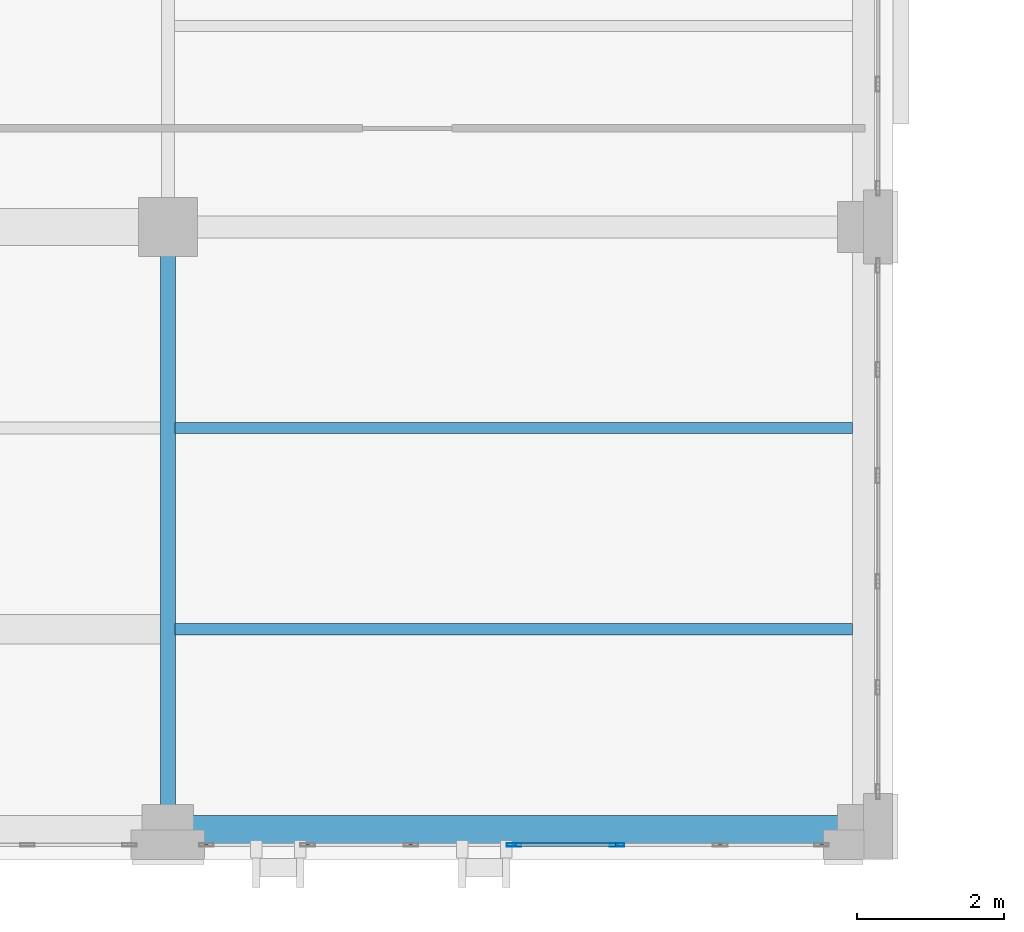
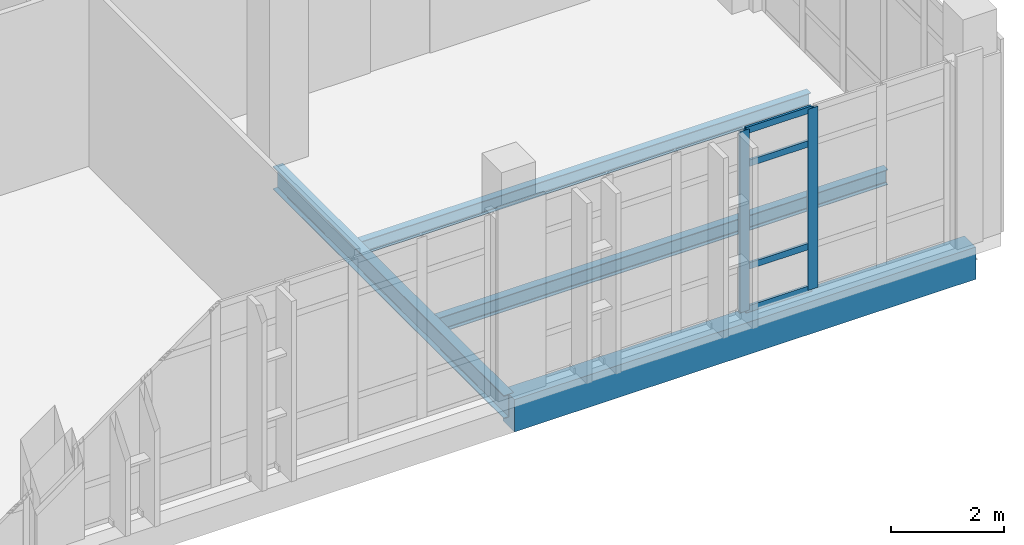
# One storey, part 46 of 158: 6 members, 4 beams, 1 element without a shape of its own.
"""IFC4 building model written with IfcOpenShell, lengths in metres."""

from ifc_helpers import new_model, si_unit, direction, frame, origin, origin_2d, place, context, subcontext, project, spatial, rectangle, hollow_rectangle, i_section, extrude, material, layer, layer_set, material_profile, profile_set, type_object, element, aggregate, save


model = new_model("IFC4")

# Units and contexts
model_context = context("Model", 3, precision=1e-05, world=origin(), true_north=direction((0.0, 1.0)))
body_context = subcontext(model_context, "Body", "Model", "MODEL_VIEW")
ifc_project = project(units=[si_unit("LENGTHUNIT", "METRE"), si_unit("AREAUNIT", "SQUARE_METRE"), si_unit("VOLUMEUNIT", "CUBIC_METRE"), si_unit("PLANEANGLEUNIT", "RADIAN"), si_unit("MASSUNIT", "GRAM", prefix="KILO")], contexts=[model_context])

# Site, building, storey
site_placement = place(None, origin())
site = spatial("IfcSite", under=ifc_project, at=site_placement, CompositionType="ELEMENT")
building_placement = place(site_placement, origin())
building = spatial("IfcBuilding", under=site, at=building_placement, Name="Qalavern Law Courts", CompositionType="ELEMENT")
storey_placement = place(building_placement, frame((0.0, 0.0, 18.60009765625)))
storey = spatial("IfcBuildingStorey", under=building, at=storey_placement, Name="L04", CompositionType="ELEMENT", Elevation=18.60009765625)

# Curtain wall, members
ifc_material_1 = material(Name="Anodised aluminium and insulated glazing", Category="aluminium")
ifc_layer = layer(ifc_material_1, 0.18505859375)
ifc_layer_set = layer_set([ifc_layer], Name="Anodised aluminium and insulated glazing")
curtain_wall_type = type_object("IfcCurtainWallType", Name="ENV-CW-HALL", PredefinedType="USERDEFINED", material=ifc_layer_set)
curtain_wall_placement = place(storey_placement, origin())
curtain_wall = element("IfcCurtainWall", 1, at=curtain_wall_placement, inside=storey, type_object=curtain_wall_type, Name="V2 unitised curtain wall L04 south 6", ObjectType="UNITISED CURTAIN WALL", PredefinedType="USERDEFINED")
ifc_material_2 = material(Name="Anodised aluminium", Category="aluminium")
ifc_material_profile_1 = material_profile(ifc_material_2, hollow_rectangle(XDim=0.048095703125, YDim=0.199951171875, WallThickness=0.00439453125, at=origin_2d()), Name="ALU MULLION 48x200")
ifc_profile_set_1 = profile_set([ifc_material_profile_1], Name="Anodised aluminium")
member_type_1 = type_object("IfcMemberType", Name="ENV-CWM-48x200", PredefinedType="MULLION", material=ifc_profile_set_1)
member_1_placement = place(storey_placement, frame((96.05029296875, 5.39990234375, 0.0), z_axis=(0.0, 0.0, 1.0), x_axis=(0.0, 1.0, 0.0)))
member_1 = element("IfcMember", 2, at=member_1_placement, type_object=member_type_1, Name="CW-02 mullion 4", PredefinedType="MULLION", context=body_context, shape_type="SweptSolid", body=[
    extrude(hollow_rectangle(XDim=0.048095703125, YDim=0.199951171875, WallThickness=0.00439453125, at=origin_2d()), origin(), (0.0, 0.0, 1.0), 3.9248046875),
])
member_2_placement = place(storey_placement, frame((97.451904296875, 5.39990234375, 0.0), z_axis=(0.0, 0.0, 1.0), x_axis=(0.0, 1.0, 0.0)))
member_2 = element("IfcMember", 3, at=member_2_placement, type_object=member_type_1, Name="CW-02 mullion 5", PredefinedType="MULLION", context=body_context, shape_type="SweptSolid", body=[
    extrude(hollow_rectangle(XDim=0.048095703125, YDim=0.199951171875, WallThickness=0.00439453125, at=origin_2d()), origin(), (0.0, 0.0, 1.0), 3.9248046875),
])
ifc_material_profile_2 = material_profile(ifc_material_2, hollow_rectangle(XDim=0.048095703125, YDim=0.139892578125, WallThickness=0.00390625, at=origin_2d()), Name="ALU TRANSOM 48x140")
ifc_profile_set_2 = profile_set([ifc_material_profile_2], Name="Anodised aluminium")
member_type_2 = type_object("IfcMemberType", Name="ENV-CWT-48x140", PredefinedType="USERDEFINED", material=ifc_profile_set_2)
member_3_placement = place(storey_placement, frame((96.074462890625, 5.39990234375, 0.02392578125), z_axis=(1.0, 0.0, 0.0), x_axis=(0.0, 1.0, 0.0)))
member_3 = element("IfcMember", 4, at=member_3_placement, type_object=member_type_2, Name="CW-02 transom 4.1", ObjectType="TRANSOM", PredefinedType="USERDEFINED", context=body_context, shape_type="SweptSolid", body=[
    extrude(hollow_rectangle(XDim=0.048095703125, YDim=0.139892578125, WallThickness=0.00390625, at=origin_2d()), origin(), (0.0, 0.0, 1.0), 1.353515625),
])
member_4_placement = place(storey_placement, frame((96.074462890625, 5.39990234375, 0.949951171875), z_axis=(1.0, 0.0, 0.0), x_axis=(0.0, 1.0, 0.0)))
member_4 = element("IfcMember", 5, at=member_4_placement, type_object=member_type_2, Name="CW-02 transom 4.2", ObjectType="TRANSOM", PredefinedType="USERDEFINED", context=body_context, shape_type="SweptSolid", body=[
    extrude(hollow_rectangle(XDim=0.048095703125, YDim=0.139892578125, WallThickness=0.00390625, at=origin_2d()), origin(), (0.0, 0.0, 1.0), 1.353515625),
])
member_5_placement = place(storey_placement, frame((96.074462890625, 5.39990234375, 3.1748046875), z_axis=(1.0, 0.0, 0.0), x_axis=(0.0, 1.0, 0.0)))
member_5 = element("IfcMember", 6, at=member_5_placement, type_object=member_type_2, Name="CW-02 transom 4.3", ObjectType="TRANSOM", PredefinedType="USERDEFINED", context=body_context, shape_type="SweptSolid", body=[
    extrude(hollow_rectangle(XDim=0.048095703125, YDim=0.139892578125, WallThickness=0.00390625, at=origin_2d()), origin(), (0.0, 0.0, 1.0), 1.353515625),
])
member_6_placement = place(storey_placement, frame((96.074462890625, 5.39990234375, 3.90087890625), z_axis=(1.0, 0.0, 0.0), x_axis=(0.0, 1.0, 0.0)))
member_6 = element("IfcMember", 7, at=member_6_placement, type_object=member_type_2, Name="CW-02 transom 4.4", ObjectType="TRANSOM", PredefinedType="USERDEFINED", context=body_context, shape_type="SweptSolid", body=[
    extrude(hollow_rectangle(XDim=0.048095703125, YDim=0.139892578125, WallThickness=0.00390625, at=origin_2d()), origin(), (0.0, 0.0, 1.0), 1.353515625),
])
aggregate(curtain_wall, [member_1, member_2, member_3, member_4, member_5, member_6])

# Beams
ifc_material_3 = material(Name="Steel S355", Category="steel")
ifc_material_profile_3 = material_profile(ifc_material_3, i_section(OverallWidth=0.199951171875, OverallDepth=0.5, WebThickness=0.01025390625, FlangeThickness=0.01611328125, FilletRadius=0.02099609375, at=origin_2d()), Name="IPE 500")
ifc_profile_set_3 = profile_set([ifc_material_profile_3], Name="Steel S355")
beam_type_1 = type_object("IfcBeamType", Name="STR-BM-IPE500", PredefinedType="BEAM", material=ifc_profile_set_3)
beam_1_placement = place(storey_placement, frame((91.345703125, 5.60009765625, -0.530029296875), z_axis=(0.0, 1.0, 0.0), x_axis=(-1.0, 0.0, 0.0)))
element("IfcBeam", 8, at=beam_1_placement, inside=storey, type_object=beam_type_1, Name="V2 Y-beam 7-1 L04", PredefinedType="BEAM", context=body_context, shape_type="SweptSolid", body=[
    extrude(i_section(OverallWidth=0.199951171875, OverallDepth=0.5, WebThickness=0.01025390625, FlangeThickness=0.01611328125, FilletRadius=0.02099609375, at=origin_2d()), origin(), (0.0, 0.0, 1.0), 8.199951171875),
])
ifc_material_profile_4 = material_profile(ifc_material_3, i_section(OverallWidth=0.14990234375, OverallDepth=0.300048828125, WebThickness=0.007080078125, FlangeThickness=0.0107421875, FilletRadius=0.014892578125, at=origin_2d()), Name="IPE 300")
ifc_profile_set_4 = profile_set([ifc_material_profile_4], Name="Steel S355")
beam_type_2 = type_object("IfcBeamType", Name="STR-JST-IPE300", PredefinedType="JOIST", material=ifc_profile_set_4)
beam_2_placement = place(storey_placement, frame((91.443603515625, 11.066650390625, -0.43017578125), z_axis=(1.0, 0.0, 0.0), x_axis=(0.0, 1.0, 0.0)))
element("IfcBeam", 9, at=beam_2_placement, inside=storey, type_object=beam_type_2, Name="V2 secondary joist 7.1.2 L04", PredefinedType="JOIST", context=body_context, shape_type="SweptSolid", body=[
    extrude(i_section(OverallWidth=0.14990234375, OverallDepth=0.300048828125, WebThickness=0.007080078125, FlangeThickness=0.0107421875, FilletRadius=0.014892578125, at=origin_2d()), origin(), (0.0, 0.0, 1.0), 9.20849609375),
])
ifc_material_profile_5 = material_profile(ifc_material_3, i_section(OverallWidth=0.159912109375, OverallDepth=0.330078125, WebThickness=0.007568359375, FlangeThickness=0.011474609375, FilletRadius=0.01806640625, at=origin_2d()), Name="IPE 330")
ifc_profile_set_5 = profile_set([ifc_material_profile_5], Name="Steel S355")
beam_type_3 = type_object("IfcBeamType", Name="STR-JST-IPE330", PredefinedType="JOIST", material=ifc_profile_set_5)
beam_3_placement = place(storey_placement, frame((91.443603515625, 8.333251953125, -0.445068359375), z_axis=(1.0, 0.0, 0.0), x_axis=(0.0, 1.0, 0.0)))
element("IfcBeam", 10, at=beam_3_placement, inside=storey, type_object=beam_type_3, Name="V2 secondary joist 7.1.1 L04", PredefinedType="JOIST", context=body_context, shape_type="SweptSolid", body=[
    extrude(i_section(OverallWidth=0.159912109375, OverallDepth=0.330078125, WebThickness=0.007568359375, FlangeThickness=0.011474609375, FilletRadius=0.01806640625, at=origin_2d()), origin(), (0.0, 0.0, 1.0), 9.20849609375),
])
ifc_material_4 = material(Name="Concrete C40/50", Category="concrete")
ifc_material_profile_6 = material_profile(ifc_material_4, rectangle(XDim=0.39990234375, YDim=0.699951171875, at=origin_2d()), Name="RC 400x700")
ifc_profile_set_6 = profile_set([ifc_material_profile_6], Name="Concrete C40/50")
beam_type_4 = type_object("IfcBeamType", Name="STR-SP-RC400x700", PredefinedType="SPANDREL", material=ifc_profile_set_6)
beam_4_placement = place(storey_placement, frame((91.345703125, 5.60009765625, -0.630126953125), z_axis=(1.0, 0.0, 0.0), x_axis=(0.0, 1.0, 0.0)))
element("IfcBeam", 11, at=beam_4_placement, inside=storey, type_object=beam_type_4, Name="V2 X-beam 1-7 L04", PredefinedType="SPANDREL", context=body_context, shape_type="SweptSolid", body=[
    extrude(rectangle(XDim=0.39990234375, YDim=0.699951171875, at=origin_2d()), origin(), (0.0, 0.0, 1.0), 9.454345703125),
])

save(model, "model.ifc")
